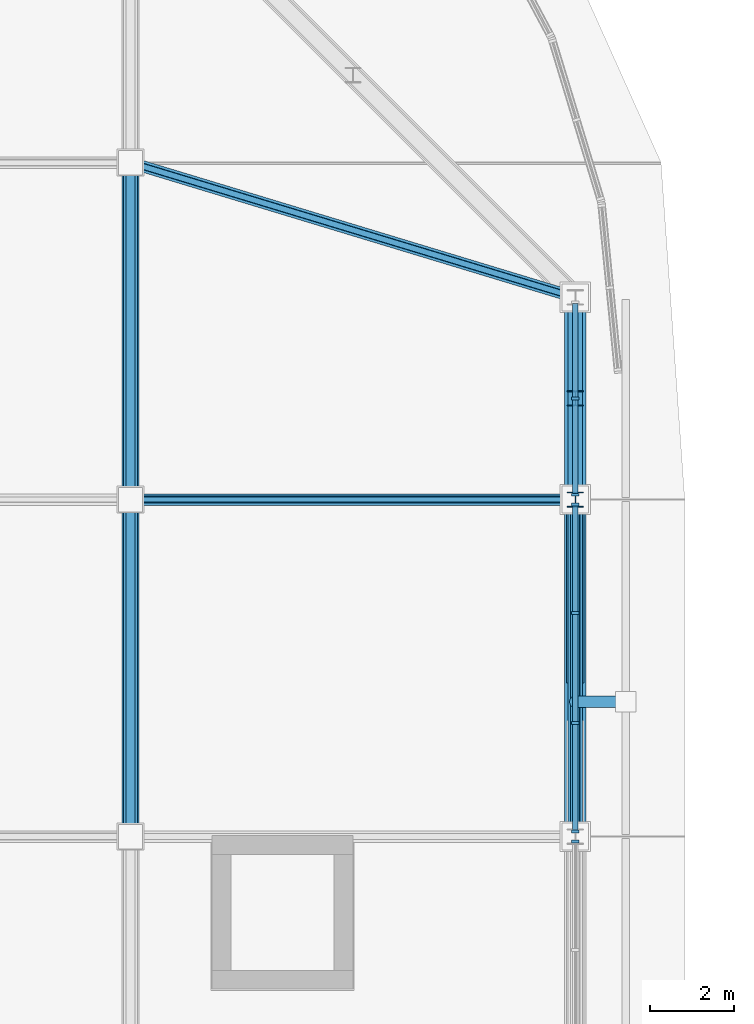
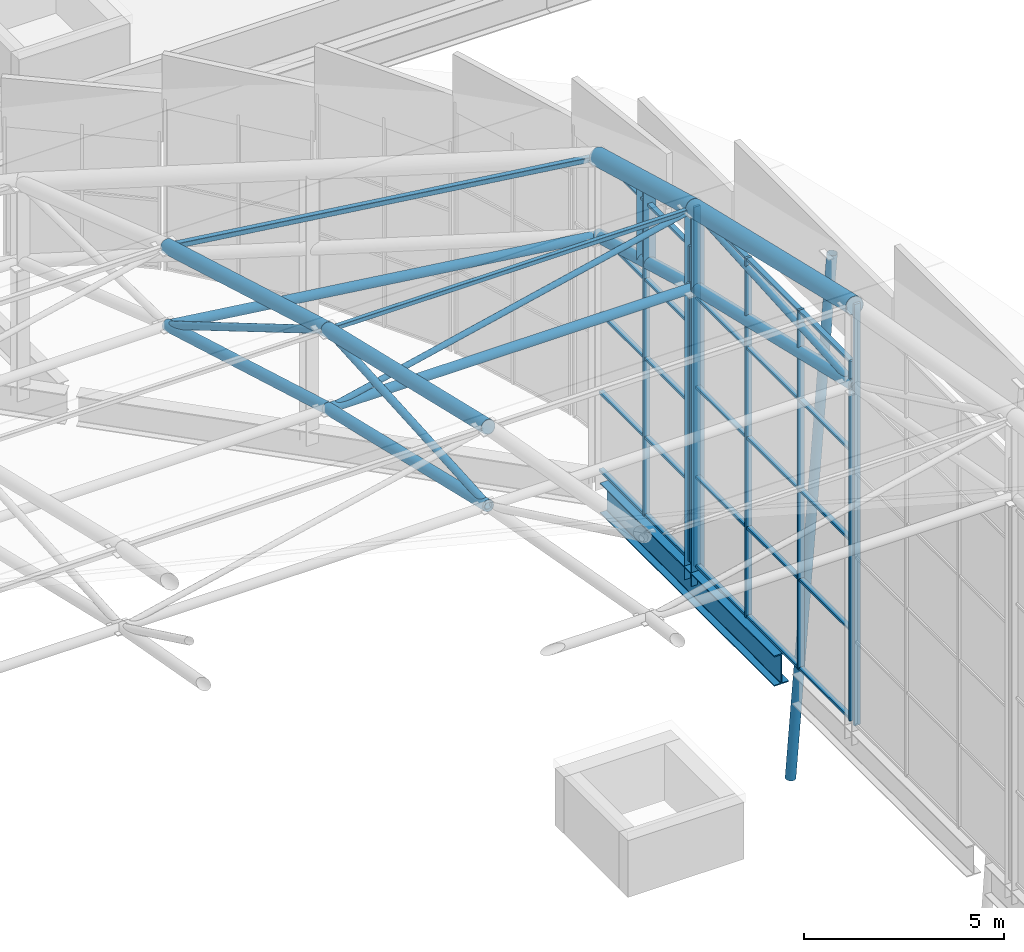
# One storey, part 26 of 42: 51 members, 1 beam, 3 elements without a shape of their own.
"""IFC4 building model written with IfcOpenShell, lengths in metres."""

from ifc_helpers import new_model, si_unit, direction, frame, origin, origin_2d, place, context, subcontext, project, spatial, rectangle, hollow_rectangle, hollow_circle, i_section, extrude, material, layer, layer_set, material_profile, profile_set, type_object, element, aggregate, save


model = new_model("IFC4")

# Units and contexts
model_context = context("Model", 3, precision=1e-05, world=origin(), true_north=direction((0.0, 1.0)))
body_context = subcontext(model_context, "Body", "Model", "MODEL_VIEW")
ifc_project = project(units=[si_unit("LENGTHUNIT", "METRE"), si_unit("AREAUNIT", "SQUARE_METRE"), si_unit("VOLUMEUNIT", "CUBIC_METRE"), si_unit("PLANEANGLEUNIT", "RADIAN"), si_unit("MASSUNIT", "GRAM", prefix="KILO")], contexts=[model_context])

# Site, building, storey
site_placement = place(None, origin())
site = spatial("IfcSite", under=ifc_project, at=site_placement, CompositionType="ELEMENT")
building_placement = place(site_placement, origin())
building = spatial("IfcBuilding", under=site, at=building_placement, Name="Caelomonte Colonnade Arena", CompositionType="ELEMENT")
storey_placement = place(building_placement, frame((0.0, 0.0, 28.199951171875)))
storey = spatial("IfcBuildingStorey", under=building, at=storey_placement, Name="RF", CompositionType="ELEMENT", Elevation=28.199951171875)

# Curtain wall, member
ifc_material_1 = material(Name="Bronze anodised aluminium and low-E glazing", Category="aluminium")
ifc_layer_1 = layer(ifc_material_1, 0.179931640625)
ifc_layer_set_1 = layer_set([ifc_layer_1], Name="Bronze anodised aluminium and low-E glazing")
curtain_wall_type_1 = type_object("IfcCurtainWallType", Name="ENV-CW-CW-TYMP-06", PredefinedType="USERDEFINED", material=ifc_layer_set_1)
curtain_wall_1_placement = place(storey_placement, origin())
curtain_wall_1 = element("IfcCurtainWall", 1, at=curtain_wall_1_placement, inside=storey, type_object=curtain_wall_type_1, Name="Barrel arch E clerestory tympanum curtain wall 6", ObjectType="UNITIZED CURTAIN WALL", PredefinedType="USERDEFINED")
ifc_material_2 = material(Name="Bronze anodised aluminium AA6063-T6", Category="aluminium")
ifc_material_profile_1 = material_profile(ifc_material_2, rectangle(XDim=0.070068359375, YDim=0.179931640625, at=origin_2d()), Name="CWM-70X180")
ifc_profile_set_1 = profile_set([ifc_material_profile_1], Name="Bronze anodised aluminium AA6063-T6")
member_type_1 = type_object("IfcMemberType", Name="ENV-CW-MULL1", PredefinedType="MULLION", material=ifc_profile_set_1)
member_1_placement = place(storey_placement, frame((163.199951171875, 83.0849609375, -0.14990234375), z_axis=(0.0, 0.0, 1.0), x_axis=(0.0, 1.0, 0.0)))
member_1 = element("IfcMember", 2, at=member_1_placement, type_object=member_type_1, Name="CW-TYMP-06 mullion 4", PredefinedType="MULLION", context=body_context, shape_type="SweptSolid", body=[
    extrude(rectangle(XDim=0.070068359375, YDim=0.179931640625, at=origin_2d()), origin(), (0.0, 0.0, 1.0), 12.8359375),
])
aggregate(curtain_wall_1, [member_1])

# Curtain wall, members
ifc_layer_2 = layer(ifc_material_1, 0.179931640625)
ifc_layer_set_2 = layer_set([ifc_layer_2], Name="Bronze anodised aluminium and low-E glazing")
curtain_wall_type_2 = type_object("IfcCurtainWallType", Name="ENV-CW-CW-TYMP-07", PredefinedType="USERDEFINED", material=ifc_layer_set_2)
curtain_wall_2_placement = place(storey_placement, origin())
curtain_wall_2 = element("IfcCurtainWall", 3, at=curtain_wall_2_placement, inside=storey, type_object=curtain_wall_type_2, Name="Barrel arch E clerestory tympanum curtain wall 7", ObjectType="UNITIZED CURTAIN WALL", PredefinedType="USERDEFINED")
member_2_placement = place(storey_placement, frame((163.199951171875, 83.31494140625, -0.14990234375), z_axis=(0.0, 0.0, 1.0), x_axis=(0.0, 1.0, 0.0)))
member_2 = element("IfcMember", 4, at=member_2_placement, type_object=member_type_1, Name="CW-TYMP-07 mullion 1", PredefinedType="MULLION", context=body_context, shape_type="SweptSolid", body=[
    extrude(rectangle(XDim=0.070068359375, YDim=0.179931640625, at=origin_2d()), origin(), (0.0, 0.0, 1.0), 10.952880859375),
])
member_3_placement = place(storey_placement, frame((163.199951171875, 85.893310546875, -0.14990234375), z_axis=(0.0, 0.0, 1.0), x_axis=(0.0, 1.0, 0.0)))
member_3 = element("IfcMember", 5, at=member_3_placement, type_object=member_type_1, Name="CW-TYMP-07 mullion 2", PredefinedType="MULLION", context=body_context, shape_type="SweptSolid", body=[
    extrude(rectangle(XDim=0.070068359375, YDim=0.179931640625, at=origin_2d()), origin(), (0.0, 0.0, 1.0), 10.952880859375),
])
member_4_placement = place(storey_placement, frame((163.199951171875, 88.506591796875, -0.14990234375), z_axis=(0.0, 0.0, 1.0), x_axis=(0.0, 1.0, 0.0)))
member_4 = element("IfcMember", 6, at=member_4_placement, type_object=member_type_1, Name="CW-TYMP-07 mullion 3", PredefinedType="MULLION", context=body_context, shape_type="SweptSolid", body=[
    extrude(rectangle(XDim=0.070068359375, YDim=0.179931640625, at=origin_2d()), origin(), (0.0, 0.0, 1.0), 10.952880859375),
])
member_5_placement = place(storey_placement, frame((163.199951171875, 91.0849609375, -0.14990234375), z_axis=(0.0, 0.0, 1.0), x_axis=(0.0, 1.0, 0.0)))
member_5 = element("IfcMember", 7, at=member_5_placement, type_object=member_type_1, Name="CW-TYMP-07 mullion 4", PredefinedType="MULLION", context=body_context, shape_type="SweptSolid", body=[
    extrude(rectangle(XDim=0.070068359375, YDim=0.179931640625, at=origin_2d()), origin(), (0.0, 0.0, 1.0), 10.952880859375),
])

ifc_layer_3 = layer(ifc_material_1, 0.179931640625)
ifc_layer_set_3 = layer_set([ifc_layer_3], Name="Bronze anodised aluminium and low-E glazing")
curtain_wall_type_3 = type_object("IfcCurtainWallType", Name="ENV-CW-CW-TYMP-08", PredefinedType="USERDEFINED", material=ifc_layer_set_3)
curtain_wall_3_placement = place(storey_placement, origin())
curtain_wall_3 = element("IfcCurtainWall", 8, at=curtain_wall_3_placement, inside=storey, type_object=curtain_wall_type_3, Name="Barrel arch E clerestory tympanum curtain wall 8", ObjectType="UNITIZED CURTAIN WALL", PredefinedType="USERDEFINED")
member_6_placement = place(storey_placement, frame((163.199951171875, 91.31494140625, -0.14990234375), z_axis=(0.0, 0.0, 1.0), x_axis=(0.0, 1.0, 0.0)))
member_6 = element("IfcMember", 9, at=member_6_placement, type_object=member_type_1, Name="CW-TYMP-08 mullion 1", PredefinedType="MULLION", context=body_context, shape_type="SweptSolid", body=[
    extrude(rectangle(XDim=0.070068359375, YDim=0.179931640625, at=origin_2d()), origin(), (0.0, 0.0, 1.0), 9.61474609375),
])
member_7_placement = place(storey_placement, frame((163.199951171875, 93.60009765625, -0.14990234375), z_axis=(0.0, 0.0, 1.0), x_axis=(0.0, 1.0, 0.0)))
member_7 = element("IfcMember", 10, at=member_7_placement, type_object=member_type_1, Name="CW-TYMP-08 mullion 2", PredefinedType="MULLION", context=body_context, shape_type="SweptSolid", body=[
    extrude(rectangle(XDim=0.070068359375, YDim=0.179931640625, at=origin_2d()), origin(), (0.0, 0.0, 1.0), 9.61474609375),
])

# Member
ifc_material_profile_2 = material_profile(ifc_material_2, rectangle(XDim=0.070068359375, YDim=0.139892578125, at=origin_2d()), Name="CWT-70X140")
ifc_profile_set_2 = profile_set([ifc_material_profile_2], Name="Bronze anodised aluminium AA6063-T6")
member_type_2 = type_object("IfcMemberType", Name="ENV-CW-TRAN1", PredefinedType="USERDEFINED", material=ifc_profile_set_2)
member_8_placement = place(storey_placement, frame((163.199951171875, 83.35009765625, -0.114990234375), z_axis=(0.0, 1.0, 0.0), x_axis=(0.0, 0.0, 1.0)))
member_8 = element("IfcMember", 11, at=member_8_placement, type_object=member_type_2, Name="CW-TYMP-07 transom 1.1", ObjectType="TRANSOM", PredefinedType="USERDEFINED", context=body_context, shape_type="SweptSolid", body=[
    extrude(rectangle(XDim=0.070068359375, YDim=0.139892578125, at=origin_2d()), origin(), (0.0, 0.0, 1.0), 2.50830078125),
])

member_9_placement = place(storey_placement, frame((163.199951171875, 83.35009765625, 2.58837890625), z_axis=(0.0, 1.0, 0.0), x_axis=(0.0, 0.0, 1.0)))
member_9 = element("IfcMember", 12, at=member_9_placement, type_object=member_type_2, Name="CW-TYMP-07 transom 1.2", ObjectType="TRANSOM", PredefinedType="USERDEFINED", context=body_context, shape_type="SweptSolid", body=[
    extrude(rectangle(XDim=0.070068359375, YDim=0.139892578125, at=origin_2d()), origin(), (0.0, 0.0, 1.0), 2.50830078125),
])

member_10_placement = place(storey_placement, frame((163.199951171875, 83.35009765625, 5.32666015625), z_axis=(0.0, 1.0, 0.0), x_axis=(0.0, 0.0, 1.0)))
member_10 = element("IfcMember", 13, at=member_10_placement, type_object=member_type_2, Name="CW-TYMP-07 transom 1.3", ObjectType="TRANSOM", PredefinedType="USERDEFINED", context=body_context, shape_type="SweptSolid", body=[
    extrude(rectangle(XDim=0.070068359375, YDim=0.139892578125, at=origin_2d()), origin(), (0.0, 0.0, 1.0), 2.50830078125),
])

member_11_placement = place(storey_placement, frame((163.199951171875, 83.35009765625, 8.064697265625), z_axis=(0.0, 1.0, 0.0), x_axis=(0.0, 0.0, 1.0)))
member_11 = element("IfcMember", 14, at=member_11_placement, type_object=member_type_2, Name="CW-TYMP-07 transom 1.4", ObjectType="TRANSOM", PredefinedType="USERDEFINED", context=body_context, shape_type="SweptSolid", body=[
    extrude(rectangle(XDim=0.070068359375, YDim=0.139892578125, at=origin_2d()), origin(), (0.0, 0.0, 1.0), 2.50830078125),
])

member_12_placement = place(storey_placement, frame((163.199951171875, 83.35009765625, 10.76806640625), z_axis=(0.0, 1.0, 0.0), x_axis=(0.0, 0.0, 1.0)))
member_12 = element("IfcMember", 15, at=member_12_placement, type_object=member_type_2, Name="CW-TYMP-07 transom 1.5", ObjectType="TRANSOM", PredefinedType="USERDEFINED", context=body_context, shape_type="SweptSolid", body=[
    extrude(rectangle(XDim=0.070068359375, YDim=0.139892578125, at=origin_2d()), origin(), (0.0, 0.0, 1.0), 2.50830078125),
])

member_13_placement = place(storey_placement, frame((163.199951171875, 85.92822265625, -0.114990234375), z_axis=(0.0, 1.0, 0.0), x_axis=(0.0, 0.0, 1.0)))
member_13 = element("IfcMember", 16, at=member_13_placement, type_object=member_type_2, Name="CW-TYMP-07 transom 2.1", ObjectType="TRANSOM", PredefinedType="USERDEFINED", context=body_context, shape_type="SweptSolid", body=[
    extrude(rectangle(XDim=0.070068359375, YDim=0.139892578125, at=origin_2d()), origin(), (0.0, 0.0, 1.0), 2.54345703125),
])

member_14_placement = place(storey_placement, frame((163.199951171875, 85.92822265625, 2.58837890625), z_axis=(0.0, 1.0, 0.0), x_axis=(0.0, 0.0, 1.0)))
member_14 = element("IfcMember", 17, at=member_14_placement, type_object=member_type_2, Name="CW-TYMP-07 transom 2.2", ObjectType="TRANSOM", PredefinedType="USERDEFINED", context=body_context, shape_type="SweptSolid", body=[
    extrude(rectangle(XDim=0.070068359375, YDim=0.139892578125, at=origin_2d()), origin(), (0.0, 0.0, 1.0), 2.54345703125),
])

member_15_placement = place(storey_placement, frame((163.199951171875, 85.92822265625, 5.32666015625), z_axis=(0.0, 1.0, 0.0), x_axis=(0.0, 0.0, 1.0)))
member_15 = element("IfcMember", 18, at=member_15_placement, type_object=member_type_2, Name="CW-TYMP-07 transom 2.3", ObjectType="TRANSOM", PredefinedType="USERDEFINED", context=body_context, shape_type="SweptSolid", body=[
    extrude(rectangle(XDim=0.070068359375, YDim=0.139892578125, at=origin_2d()), origin(), (0.0, 0.0, 1.0), 2.54345703125),
])

member_16_placement = place(storey_placement, frame((163.199951171875, 85.92822265625, 8.064697265625), z_axis=(0.0, 1.0, 0.0), x_axis=(0.0, 0.0, 1.0)))
member_16 = element("IfcMember", 19, at=member_16_placement, type_object=member_type_2, Name="CW-TYMP-07 transom 2.4", ObjectType="TRANSOM", PredefinedType="USERDEFINED", context=body_context, shape_type="SweptSolid", body=[
    extrude(rectangle(XDim=0.070068359375, YDim=0.139892578125, at=origin_2d()), origin(), (0.0, 0.0, 1.0), 2.54345703125),
])

member_17_placement = place(storey_placement, frame((163.199951171875, 85.92822265625, 10.76806640625), z_axis=(0.0, 1.0, 0.0), x_axis=(0.0, 0.0, 1.0)))
member_17 = element("IfcMember", 20, at=member_17_placement, type_object=member_type_2, Name="CW-TYMP-07 transom 2.5", ObjectType="TRANSOM", PredefinedType="USERDEFINED", context=body_context, shape_type="SweptSolid", body=[
    extrude(rectangle(XDim=0.070068359375, YDim=0.139892578125, at=origin_2d()), origin(), (0.0, 0.0, 1.0), 2.54345703125),
])

member_18_placement = place(storey_placement, frame((163.199951171875, 88.541748046875, -0.114990234375), z_axis=(0.0, 1.0, 0.0), x_axis=(0.0, 0.0, 1.0)))
member_18 = element("IfcMember", 21, at=member_18_placement, type_object=member_type_2, Name="CW-TYMP-07 transom 3.1", ObjectType="TRANSOM", PredefinedType="USERDEFINED", context=body_context, shape_type="SweptSolid", body=[
    extrude(rectangle(XDim=0.070068359375, YDim=0.139892578125, at=origin_2d()), origin(), (0.0, 0.0, 1.0), 2.50830078125),
])

member_19_placement = place(storey_placement, frame((163.199951171875, 88.541748046875, 2.58837890625), z_axis=(0.0, 1.0, 0.0), x_axis=(0.0, 0.0, 1.0)))
member_19 = element("IfcMember", 22, at=member_19_placement, type_object=member_type_2, Name="CW-TYMP-07 transom 3.2", ObjectType="TRANSOM", PredefinedType="USERDEFINED", context=body_context, shape_type="SweptSolid", body=[
    extrude(rectangle(XDim=0.070068359375, YDim=0.139892578125, at=origin_2d()), origin(), (0.0, 0.0, 1.0), 2.50830078125),
])

member_20_placement = place(storey_placement, frame((163.199951171875, 88.541748046875, 5.32666015625), z_axis=(0.0, 1.0, 0.0), x_axis=(0.0, 0.0, 1.0)))
member_20 = element("IfcMember", 23, at=member_20_placement, type_object=member_type_2, Name="CW-TYMP-07 transom 3.3", ObjectType="TRANSOM", PredefinedType="USERDEFINED", context=body_context, shape_type="SweptSolid", body=[
    extrude(rectangle(XDim=0.070068359375, YDim=0.139892578125, at=origin_2d()), origin(), (0.0, 0.0, 1.0), 2.50830078125),
])

member_21_placement = place(storey_placement, frame((163.199951171875, 88.541748046875, 8.064697265625), z_axis=(0.0, 1.0, 0.0), x_axis=(0.0, 0.0, 1.0)))
member_21 = element("IfcMember", 24, at=member_21_placement, type_object=member_type_2, Name="CW-TYMP-07 transom 3.4", ObjectType="TRANSOM", PredefinedType="USERDEFINED", context=body_context, shape_type="SweptSolid", body=[
    extrude(rectangle(XDim=0.070068359375, YDim=0.139892578125, at=origin_2d()), origin(), (0.0, 0.0, 1.0), 2.50830078125),
])

member_22_placement = place(storey_placement, frame((163.199951171875, 88.541748046875, 10.76806640625), z_axis=(0.0, 1.0, 0.0), x_axis=(0.0, 0.0, 1.0)))
member_22 = element("IfcMember", 25, at=member_22_placement, type_object=member_type_2, Name="CW-TYMP-07 transom 3.5", ObjectType="TRANSOM", PredefinedType="USERDEFINED", context=body_context, shape_type="SweptSolid", body=[
    extrude(rectangle(XDim=0.070068359375, YDim=0.139892578125, at=origin_2d()), origin(), (0.0, 0.0, 1.0), 2.50830078125),
])

aggregate(curtain_wall_2, [member_2, member_3, member_4, member_5, member_8, member_9, member_10, member_11, member_12, member_13, member_14, member_15, member_16, member_17, member_18, member_19, member_20, member_21, member_22])

member_23_placement = place(storey_placement, frame((163.199951171875, 91.35009765625, -0.114990234375), z_axis=(0.0, 1.0, 0.0), x_axis=(0.0, 0.0, 1.0)))
member_23 = element("IfcMember", 26, at=member_23_placement, type_object=member_type_2, Name="CW-TYMP-08 transom 1.1", ObjectType="TRANSOM", PredefinedType="USERDEFINED", context=body_context, shape_type="SweptSolid", body=[
    extrude(rectangle(XDim=0.070068359375, YDim=0.139892578125, at=origin_2d()), origin(), (0.0, 0.0, 1.0), 2.21484375),
])

member_24_placement = place(storey_placement, frame((163.199951171875, 91.35009765625, 2.253662109375), z_axis=(0.0, 1.0, 0.0), x_axis=(0.0, 0.0, 1.0)))
member_24 = element("IfcMember", 27, at=member_24_placement, type_object=member_type_2, Name="CW-TYMP-08 transom 1.2", ObjectType="TRANSOM", PredefinedType="USERDEFINED", context=body_context, shape_type="SweptSolid", body=[
    extrude(rectangle(XDim=0.070068359375, YDim=0.139892578125, at=origin_2d()), origin(), (0.0, 0.0, 1.0), 2.21484375),
])

member_25_placement = place(storey_placement, frame((163.199951171875, 91.35009765625, 4.657470703125), z_axis=(0.0, 1.0, 0.0), x_axis=(0.0, 0.0, 1.0)))
member_25 = element("IfcMember", 28, at=member_25_placement, type_object=member_type_2, Name="CW-TYMP-08 transom 1.3", ObjectType="TRANSOM", PredefinedType="USERDEFINED", context=body_context, shape_type="SweptSolid", body=[
    extrude(rectangle(XDim=0.070068359375, YDim=0.139892578125, at=origin_2d()), origin(), (0.0, 0.0, 1.0), 2.21484375),
])

member_26_placement = place(storey_placement, frame((163.199951171875, 91.35009765625, 7.061279296875), z_axis=(0.0, 1.0, 0.0), x_axis=(0.0, 0.0, 1.0)))
member_26 = element("IfcMember", 29, at=member_26_placement, type_object=member_type_2, Name="CW-TYMP-08 transom 1.4", ObjectType="TRANSOM", PredefinedType="USERDEFINED", context=body_context, shape_type="SweptSolid", body=[
    extrude(rectangle(XDim=0.070068359375, YDim=0.139892578125, at=origin_2d()), origin(), (0.0, 0.0, 1.0), 2.21484375),
])

member_27_placement = place(storey_placement, frame((163.199951171875, 91.35009765625, 9.429931640625), z_axis=(0.0, 1.0, 0.0), x_axis=(0.0, 0.0, 1.0)))
member_27 = element("IfcMember", 30, at=member_27_placement, type_object=member_type_2, Name="CW-TYMP-08 transom 1.5", ObjectType="TRANSOM", PredefinedType="USERDEFINED", context=body_context, shape_type="SweptSolid", body=[
    extrude(rectangle(XDim=0.070068359375, YDim=0.139892578125, at=origin_2d()), origin(), (0.0, 0.0, 1.0), 2.21484375),
])

member_28_placement = place(storey_placement, frame((163.199951171875, 93.635009765625, -0.114990234375), z_axis=(0.0, 1.0, 0.0), x_axis=(0.0, 0.0, 1.0)))
member_28 = element("IfcMember", 31, at=member_28_placement, type_object=member_type_2, Name="CW-TYMP-08 transom 2.1", ObjectType="TRANSOM", PredefinedType="USERDEFINED", context=body_context, shape_type="SweptSolid", body=[
    extrude(rectangle(XDim=0.070068359375, YDim=0.139892578125, at=origin_2d()), origin(), (0.0, 0.0, 1.0), 2.215087890625),
])

member_29_placement = place(storey_placement, frame((163.199951171875, 93.635009765625, 2.253662109375), z_axis=(0.0, 1.0, 0.0), x_axis=(0.0, 0.0, 1.0)))
member_29 = element("IfcMember", 32, at=member_29_placement, type_object=member_type_2, Name="CW-TYMP-08 transom 2.2", ObjectType="TRANSOM", PredefinedType="USERDEFINED", context=body_context, shape_type="SweptSolid", body=[
    extrude(rectangle(XDim=0.070068359375, YDim=0.139892578125, at=origin_2d()), origin(), (0.0, 0.0, 1.0), 2.215087890625),
])

member_30_placement = place(storey_placement, frame((163.199951171875, 93.635009765625, 4.657470703125), z_axis=(0.0, 1.0, 0.0), x_axis=(0.0, 0.0, 1.0)))
member_30 = element("IfcMember", 33, at=member_30_placement, type_object=member_type_2, Name="CW-TYMP-08 transom 2.3", ObjectType="TRANSOM", PredefinedType="USERDEFINED", context=body_context, shape_type="SweptSolid", body=[
    extrude(rectangle(XDim=0.070068359375, YDim=0.139892578125, at=origin_2d()), origin(), (0.0, 0.0, 1.0), 2.215087890625),
])

member_31_placement = place(storey_placement, frame((163.199951171875, 93.635009765625, 7.061279296875), z_axis=(0.0, 1.0, 0.0), x_axis=(0.0, 0.0, 1.0)))
member_31 = element("IfcMember", 34, at=member_31_placement, type_object=member_type_2, Name="CW-TYMP-08 transom 2.4", ObjectType="TRANSOM", PredefinedType="USERDEFINED", context=body_context, shape_type="SweptSolid", body=[
    extrude(rectangle(XDim=0.070068359375, YDim=0.139892578125, at=origin_2d()), origin(), (0.0, 0.0, 1.0), 2.215087890625),
])

member_32_placement = place(storey_placement, frame((163.199951171875, 93.635009765625, 9.429931640625), z_axis=(0.0, 1.0, 0.0), x_axis=(0.0, 0.0, 1.0)))
member_32 = element("IfcMember", 35, at=member_32_placement, type_object=member_type_2, Name="CW-TYMP-08 transom 2.5", ObjectType="TRANSOM", PredefinedType="USERDEFINED", context=body_context, shape_type="SweptSolid", body=[
    extrude(rectangle(XDim=0.070068359375, YDim=0.139892578125, at=origin_2d()), origin(), (0.0, 0.0, 1.0), 2.215087890625),
])

aggregate(curtain_wall_3, [member_6, member_7, member_23, member_24, member_25, member_26, member_27, member_28, member_29, member_30, member_31, member_32])

# Beam
ifc_material_3 = material(Name="Wide-flange steel ASTM A992 Grade 50", Category="steel")
ifc_material_profile_3 = material_profile(ifc_material_3, i_section(OverallWidth=0.418212890625, OverallDepth=0.927001953125, WebThickness=0.019287109375, FlangeThickness=0.031982421875, FilletRadius=0.024169921875, at=origin_2d()), Name="W36X231")
ifc_profile_set_3 = profile_set([ifc_material_profile_3], Name="Wide-flange steel ASTM A992 Grade 50")
beam_type = type_object("IfcBeamType", Name="STR-BM-EAVES1", PredefinedType="SPANDREL", material=ifc_profile_set_3)
beam_placement = place(storey_placement, frame((163.199951171875, 86.84912109375, -0.743408203125), z_axis=(0.0, 1.0, 0.0), x_axis=(-1.0, 0.0, 0.0)))
element("IfcBeam", 36, at=beam_placement, inside=storey, type_object=beam_type, Name="RF girder BMY-RF-1632-0864", PredefinedType="SPANDREL", context=body_context, shape_type="SweptSolid", body=[
    extrude(i_section(OverallWidth=0.418212890625, OverallDepth=0.927001953125, WebThickness=0.019287109375, FlangeThickness=0.031982421875, FilletRadius=0.024169921875, at=origin_2d()), origin(), (0.0, 0.0, 1.0), 8.70166015625),
])

# Members
ifc_material_profile_4 = material_profile(ifc_material_3, i_section(OverallWidth=0.368896484375, OverallDepth=0.356201171875, WebThickness=0.01123046875, FlangeThickness=0.01806640625, FilletRadius=0.01513671875, at=origin_2d()), Name="W14X90")
ifc_profile_set_4 = profile_set([ifc_material_profile_4], Name="Wide-flange steel ASTM A992 Grade 50")
member_type_3 = type_object("IfcMemberType", Name="STR-CAT-STR", PredefinedType="STRUT", material=ifc_profile_set_4)
member_33_placement = place(storey_placement, frame((163.199951171875, 91.199951171875, -0.699951171875), z_axis=(0.0, 0.0, 1.0), x_axis=(1.0, 0.0, 0.0)))
element("IfcMember", 37, at=member_33_placement, inside=storey, type_object=member_type_3, Name="Roof truss eaves bearing post 10-9", PredefinedType="STRUT", context=body_context, shape_type="SweptSolid", body=[
    extrude(i_section(OverallWidth=0.368896484375, OverallDepth=0.356201171875, WebThickness=0.01123046875, FlangeThickness=0.01806640625, FilletRadius=0.01513671875, at=origin_2d()), origin(), (0.0, 0.0, 1.0), 11.35302734375),
])
member_34_placement = place(storey_placement, frame((163.199951171875, 93.60009765625, 7.5859375), z_axis=(0.0, 0.0, 1.0), x_axis=(1.0, 0.0, 0.0)))
element("IfcMember", 38, at=member_34_placement, inside=storey, type_object=member_type_3, Name="Space frame roof truss Vierendeel post 10-9", PredefinedType="STRUT", context=body_context, shape_type="SweptSolid", body=[
    extrude(i_section(OverallWidth=0.368896484375, OverallDepth=0.356201171875, WebThickness=0.01123046875, FlangeThickness=0.01806640625, FilletRadius=0.01513671875, at=origin_2d()), origin(), (0.0, 0.0, 1.0), 2.39599609375),
])
ifc_material_4 = material(Name="Steel ASTM A500 Grade C", Category="steel")
ifc_material_profile_5 = material_profile(ifc_material_4, hollow_circle(Radius=0.177734375, WallThickness=0.0126953125, at=origin_2d()), Name="CHS355.6X12.7")
ifc_profile_set_5 = profile_set([ifc_material_profile_5], Name="Steel ASTM A500 Grade C")
member_type_4 = type_object("IfcMemberType", Name="STR-SF-BC1", PredefinedType="CHORD", material=ifc_profile_set_5)
member_35_placement = place(storey_placement, frame((163.199951171875, 83.201904296875, 10.135498046875), z_axis=(0.0, 0.973406253466, -0.229085716955), x_axis=(-1.0, 0.0, 0.0)))
element("IfcMember", 39, at=member_35_placement, inside=storey, type_object=member_type_4, Name="Arched roof truss bottom chord 10-8", PredefinedType="CHORD", context=body_context, shape_type="SweptSolid", body=[
    extrude(hollow_circle(Radius=0.177734375, WallThickness=0.0126953125, at=origin_2d()), origin(), (0.0, 0.0, 1.0), 8.214599609375),
])
member_36_placement = place(storey_placement, frame((163.199951171875, 91.201904296875, 8.25244140625), z_axis=(0.0, 0.963276563205, -0.268511196748), x_axis=(-1.0, 0.0, 0.0)))
element("IfcMember", 40, at=member_36_placement, inside=storey, type_object=member_type_4, Name="Arched roof truss bottom chord 10-9", PredefinedType="CHORD", context=body_context, shape_type="SweptSolid", body=[
    extrude(hollow_circle(Radius=0.177734375, WallThickness=0.0126953125, at=origin_2d()), origin(), (0.0, 0.0, 1.0), 4.97900390625),
])
ifc_material_profile_6 = material_profile(ifc_material_4, hollow_circle(Radius=0.161865234375, WallThickness=0.010009765625, at=origin_2d()), Name="CHS323.9X10.0")
ifc_profile_set_6 = profile_set([ifc_material_profile_6], Name="Steel ASTM A500 Grade C")
member_type_5 = type_object("IfcMemberType", Name="STR-SF-BC2", PredefinedType="CHORD", material=ifc_profile_set_6)
member_37_placement = place(storey_placement, frame((152.639892578125, 83.201904296875, 10.135498046875), z_axis=(0.0, 0.973406253466, -0.229085716955), x_axis=(-1.0, 0.0, 0.0)))
element("IfcMember", 41, at=member_37_placement, inside=storey, type_object=member_type_5, Name="Arched roof truss bottom chord 9-8", PredefinedType="CHORD", context=body_context, shape_type="SweptSolid", body=[
    extrude(hollow_circle(Radius=0.161865234375, WallThickness=0.010009765625, at=origin_2d()), origin(), (0.0, 0.0, 1.0), 8.214599609375),
])
member_38_placement = place(storey_placement, frame((152.639892578125, 91.201904296875, 8.25244140625), z_axis=(0.0, 0.960531688459, -0.278170586988), x_axis=(-1.0, 0.0, 0.0)))
element("IfcMember", 42, at=member_38_placement, inside=storey, type_object=member_type_5, Name="Arched roof truss bottom chord 9-9", PredefinedType="CHORD", context=body_context, shape_type="SweptSolid", body=[
    extrude(hollow_circle(Radius=0.161865234375, WallThickness=0.010009765625, at=origin_2d()), origin(), (0.0, 0.0, 1.0), 8.32470703125),
])
ifc_material_profile_7 = material_profile(ifc_material_4, hollow_rectangle(XDim=0.15234375, YDim=0.15234375, WallThickness=0.008056640625, InnerFilletRadius=0.008056640625, OuterFilletRadius=0.01611328125, at=origin_2d()), Name="HSS152X152X8.0")
ifc_profile_set_7 = profile_set([ifc_material_profile_7], Name="Steel ASTM A500 Grade C")
member_type_6 = type_object("IfcMemberType", Name="STR-SF-PUR2", PredefinedType="PURLIN", material=ifc_profile_set_7)
member_39_placement = place(storey_placement, frame((152.641845703125, 99.199462890625, 8.336181640625), z_axis=(0.953277139485, -0.288884554297, 0.088365205954), x_axis=(0.29001906716, 0.957020867423, 0.0)))
element("IfcMember", 43, at=member_39_placement, inside=storey, type_object=member_type_6, Name="Arched roof purlin 9-10", PredefinedType="PURLIN", context=body_context, shape_type="SweptSolid", body=[
    extrude(hollow_rectangle(XDim=0.15234375, YDim=0.15234375, WallThickness=0.008056640625, InnerFilletRadius=0.008056640625, OuterFilletRadius=0.01611328125, at=origin_2d()), origin(), (0.0, 0.0, 1.0), 11.073486328125),
])
ifc_material_profile_8 = material_profile(ifc_material_4, hollow_rectangle(XDim=0.126953125, YDim=0.126953125, WallThickness=0.00634765625, InnerFilletRadius=0.00634765625, OuterFilletRadius=0.0126953125, at=origin_2d()), Name="HSS127X127X6.4")
ifc_profile_set_8 = profile_set([ifc_material_profile_8], Name="Steel ASTM A500 Grade C")
member_type_7 = type_object("IfcMemberType", Name="STR-SF-PUR3", PredefinedType="PURLIN", material=ifc_profile_set_8)
member_40_placement = place(storey_placement, frame((152.64208984375, 91.199951171875, 10.653076171875), z_axis=(1.0, 0.0, 0.0), x_axis=(0.0, 1.0, 0.0)))
element("IfcMember", 44, at=member_40_placement, inside=storey, type_object=member_type_7, Name="Arched roof purlin 9-9", PredefinedType="PURLIN", context=body_context, shape_type="SweptSolid", body=[
    extrude(hollow_rectangle(XDim=0.126953125, YDim=0.126953125, WallThickness=0.00634765625, InnerFilletRadius=0.00634765625, OuterFilletRadius=0.0126953125, at=origin_2d()), origin(), (0.0, 0.0, 1.0), 10.555908203125),
])
ifc_material_profile_9 = material_profile(ifc_material_4, hollow_circle(Radius=0.25390625, WallThickness=0.015869140625, at=origin_2d()), Name="CHS508X15.9")
ifc_profile_set_9 = profile_set([ifc_material_profile_9], Name="Steel ASTM A500 Grade C")
member_type_8 = type_object("IfcMemberType", Name="STR-SF-TC1", PredefinedType="CHORD", material=ifc_profile_set_9)
member_41_placement = place(storey_placement, frame((163.199951171875, 83.201904296875, 12.53564453125), z_axis=(0.0, 0.973399625624, -0.229113877441), x_axis=(-1.0, 0.0, 0.0)))
element("IfcMember", 45, at=member_41_placement, inside=storey, type_object=member_type_8, Name="Arched roof truss top chord 10-8", PredefinedType="CHORD", context=body_context, shape_type="SweptSolid", body=[
    extrude(hollow_circle(Radius=0.25390625, WallThickness=0.015869140625, at=origin_2d()), origin(), (0.0, 0.0, 1.0), 8.214599609375),
])
member_42_placement = place(storey_placement, frame((163.199951171875, 91.201904296875, 10.652587890625), z_axis=(0.0, 0.963263879579, -0.268556694755), x_axis=(-1.0, 0.0, 0.0)))
element("IfcMember", 46, at=member_42_placement, inside=storey, type_object=member_type_8, Name="Arched roof truss top chord 10-9", PredefinedType="CHORD", context=body_context, shape_type="SweptSolid", body=[
    extrude(hollow_circle(Radius=0.25390625, WallThickness=0.015869140625, at=origin_2d()), origin(), (0.0, 0.0, 1.0), 4.97900390625),
])
ifc_material_profile_10 = material_profile(ifc_material_4, hollow_circle(Radius=0.203125, WallThickness=0.0126953125, at=origin_2d()), Name="CHS406.4X12.7")
ifc_profile_set_10 = profile_set([ifc_material_profile_10], Name="Steel ASTM A500 Grade C")
member_type_9 = type_object("IfcMemberType", Name="STR-SF-TC2", PredefinedType="CHORD", material=ifc_profile_set_10)
member_43_placement = place(storey_placement, frame((152.639892578125, 83.201904296875, 12.53564453125), z_axis=(0.0, 0.973399625624, -0.229113877441), x_axis=(-1.0, 0.0, 0.0)))
element("IfcMember", 47, at=member_43_placement, inside=storey, type_object=member_type_9, Name="Arched roof truss top chord 9-8", PredefinedType="CHORD", context=body_context, shape_type="SweptSolid", body=[
    extrude(hollow_circle(Radius=0.203125, WallThickness=0.0126953125, at=origin_2d()), origin(), (0.0, 0.0, 1.0), 8.214599609375),
])
member_44_placement = place(storey_placement, frame((152.639892578125, 91.201904296875, 10.65234375), z_axis=(0.0, 0.960531688459, -0.278170586988), x_axis=(-1.0, 0.0, 0.0)))
element("IfcMember", 48, at=member_44_placement, inside=storey, type_object=member_type_9, Name="Arched roof truss top chord 9-9", PredefinedType="CHORD", context=body_context, shape_type="SweptSolid", body=[
    extrude(hollow_circle(Radius=0.203125, WallThickness=0.0126953125, at=origin_2d()), origin(), (0.0, 0.0, 1.0), 8.32470703125),
])
ifc_material_profile_11 = material_profile(ifc_material_4, hollow_circle(Radius=0.136474609375, WallThickness=0.00927734375, at=origin_2d()), Name="CHS273.0X9.3")
ifc_profile_set_11 = profile_set([ifc_material_profile_11], Name="Steel ASTM A500 Grade C")
member_type_10 = type_object("IfcMemberType", Name="STR-SF-TIE", PredefinedType="STRUT", material=ifc_profile_set_11)
member_45_placement = place(storey_placement, frame((152.64208984375, 91.199951171875, 8.2529296875), z_axis=(1.0, 0.0, 0.0), x_axis=(0.0, 1.0, 0.0)))
element("IfcMember", 49, at=member_45_placement, inside=storey, type_object=member_type_10, Name="Space frame roof tie strut 9-9", PredefinedType="STRUT", context=body_context, shape_type="SweptSolid", body=[
    extrude(hollow_circle(Radius=0.136474609375, WallThickness=0.00927734375, at=origin_2d()), origin(), (0.0, 0.0, 1.0), 10.555908203125),
])
member_46_placement = place(storey_placement, frame((152.641845703125, 99.199462890625, 5.936279296875), z_axis=(0.953277139485, -0.288884554297, 0.088365205954), x_axis=(0.29001906716, 0.957020867423, 0.0)))
element("IfcMember", 50, at=member_46_placement, inside=storey, type_object=member_type_10, Name="Space frame roof tie strut 9-10", PredefinedType="STRUT", context=body_context, shape_type="SweptSolid", body=[
    extrude(hollow_circle(Radius=0.136474609375, WallThickness=0.00927734375, at=origin_2d()), origin(), (0.0, 0.0, 1.0), 11.073486328125),
])
member_47_placement = place(storey_placement, frame((163.2001953125, 86.39990234375, -3.7978515625), z_axis=(0.076771765103, 0.0, 0.997048692935), x_axis=(0.0, 1.0, 0.0)))
element("IfcMember", 51, at=member_47_placement, inside=storey, type_object=member_type_10, Name="Roof eaves overhang inclined strut 10", PredefinedType="STRUT", context=body_context, shape_type="SweptSolid", body=[
    extrude(hollow_circle(Radius=0.136474609375, WallThickness=0.00927734375, at=origin_2d()), origin(), (0.0, 0.0, 1.0), 15.626953125),
])
ifc_material_profile_12 = material_profile(ifc_material_4, hollow_circle(Radius=0.109619140625, WallThickness=0.00830078125, at=origin_2d()), Name="CHS219.1X8.2")
ifc_profile_set_12 = profile_set([ifc_material_profile_12], Name="Steel ASTM A500 Grade C")
member_type_11 = type_object("IfcMemberType", Name="STR-SF-WEB1", PredefinedType="BRACE", material=ifc_profile_set_12)
member_48_placement = place(storey_placement, frame((152.639892578125, 83.201904296875, 10.13623046875), z_axis=(0.0, 0.997919495279, 0.064472326942), x_axis=(-1.0, 0.0, 0.0)))
element("IfcMember", 52, at=member_48_placement, inside=storey, type_object=member_type_11, Name="Space frame roof truss web diagonal 9-8", PredefinedType="BRACE", context=body_context, shape_type="SweptSolid", body=[
    extrude(hollow_circle(Radius=0.109619140625, WallThickness=0.00830078125, at=origin_2d()), origin(), (0.0, 0.0, 1.0), 8.0126953125),
])
member_49_placement = place(storey_placement, frame((152.639892578125, 91.20166015625, 10.652099609375), z_axis=(0.0, 0.861405734482, -0.507917474203), x_axis=(-1.0, 0.0, 0.0)))
element("IfcMember", 53, at=member_49_placement, inside=storey, type_object=member_type_11, Name="Space frame roof truss web diagonal 9-9", PredefinedType="BRACE", context=body_context, shape_type="SweptSolid", body=[
    extrude(hollow_circle(Radius=0.109619140625, WallThickness=0.00830078125, at=origin_2d()), origin(), (0.0, 0.0, 1.0), 9.283203125),
])
member_50_placement = place(storey_placement, frame((163.199951171875, 83.201904296875, 10.13623046875), z_axis=(0.0, 0.997919495279, 0.064472326942), x_axis=(-1.0, 0.0, 0.0)))
element("IfcMember", 54, at=member_50_placement, inside=storey, type_object=member_type_11, Name="Space frame roof truss web diagonal 10-8", PredefinedType="BRACE", context=body_context, shape_type="SweptSolid", body=[
    extrude(hollow_circle(Radius=0.109619140625, WallThickness=0.00830078125, at=origin_2d()), origin(), (0.0, 0.0, 1.0), 8.0126953125),
])
ifc_material_profile_13 = material_profile(ifc_material_4, hollow_circle(Radius=0.084228515625, WallThickness=0.007080078125, at=origin_2d()), Name="CHS168.3X7.1")
ifc_profile_set_13 = profile_set([ifc_material_profile_13], Name="Steel ASTM A500 Grade C")
member_type_12 = type_object("IfcMemberType", Name="STR-SF-WEB2", PredefinedType="BRACE", material=ifc_profile_set_13)
member_51_placement = place(storey_placement, frame((152.64208984375, 91.199951171875, 8.25341796875), z_axis=(0.975130861858, 0.0, 0.221629876714), x_axis=(0.0, 1.0, 0.0)))
element("IfcMember", 55, at=member_51_placement, inside=storey, type_object=member_type_12, Name="Space frame transverse diagonal 9-9", PredefinedType="BRACE", context=body_context, shape_type="SweptSolid", body=[
    extrude(hollow_circle(Radius=0.084228515625, WallThickness=0.007080078125, at=origin_2d()), origin(), (0.0, 0.0, 1.0), 10.8251953125),
])

save(model, "model.ifc")
